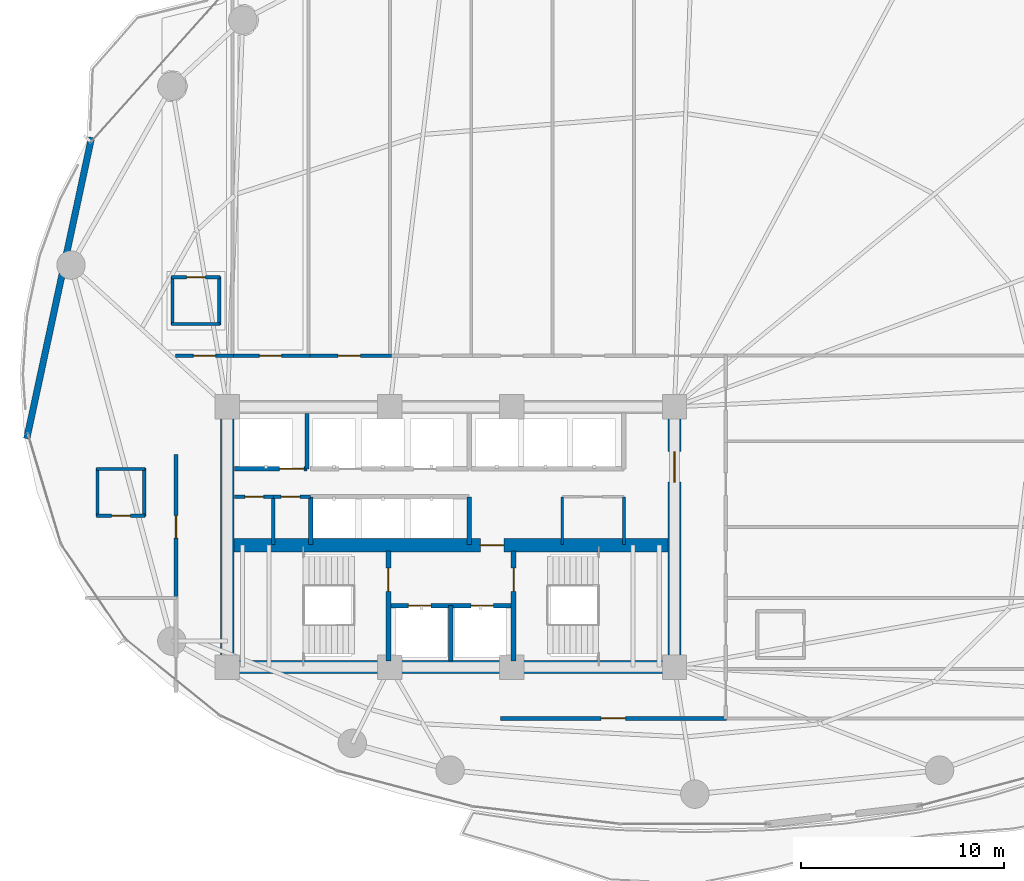
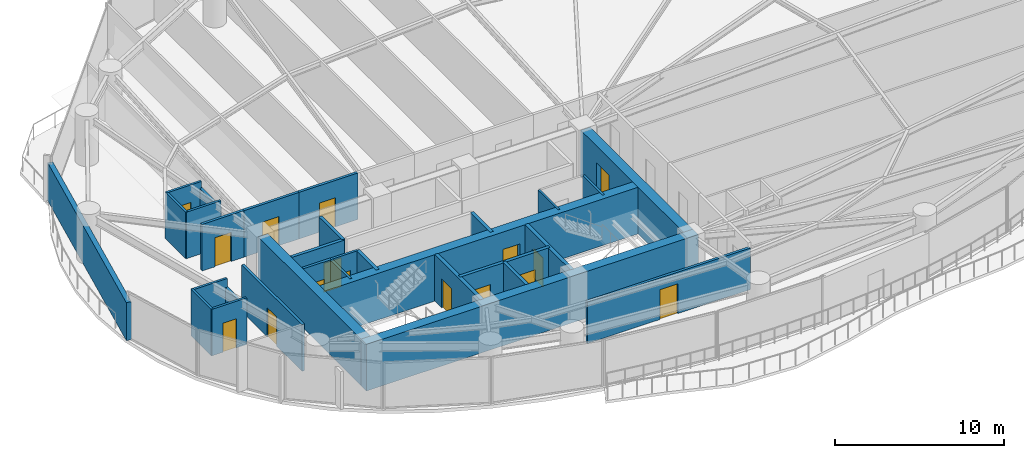
# One storey, part 26 of 31: 31 walls, 16 doors, 16 openings.
"""IFC4 building model written with IfcOpenShell, lengths in metres."""

from ifc_helpers import new_model, si_unit, direction, frame, frame_2d, origin, place, context, subcontext, project, spatial, rectangle, extrude, material, layer, layer_set, type_object, element, fill, save


model = new_model("IFC4")

# Units and contexts
model_context = context("Model", 3, precision=1e-05, world=origin(), true_north=direction((0.0, 1.0)))
body_context = subcontext(model_context, "Body", "Model", "MODEL_VIEW")
ifc_project = project(units=[si_unit("LENGTHUNIT", "METRE"), si_unit("AREAUNIT", "SQUARE_METRE"), si_unit("VOLUMEUNIT", "CUBIC_METRE"), si_unit("PLANEANGLEUNIT", "RADIAN"), si_unit("MASSUNIT", "GRAM", prefix="KILO")], contexts=[model_context])

# Site, building, storey
site_placement = place(None, origin())
site = spatial("IfcSite", under=ifc_project, at=site_placement, CompositionType="ELEMENT")
building_placement = place(site_placement, origin())
building = spatial("IfcBuilding", under=site, at=building_placement, Name="Kazevale Care Tower and Concert Hall", CompositionType="ELEMENT")
storey_placement = place(building_placement, frame((0.0, 0.0, 81.60009765625)))
storey = spatial("IfcBuildingStorey", under=building, at=storey_placement, Name="L21", CompositionType="ELEMENT", Elevation=81.60009765625)

# Walls
ifc_material_1 = material(Name="Acoustic Gypsum on Steel Stud", Category="steel")
ifc_layer_1 = layer(ifc_material_1, 0.139892578125)
ifc_layer_set_1 = layer_set([ifc_layer_1], Name="Acoustic Gypsum on Steel Stud")
wall_type_1 = type_object("IfcWallType", Name="Acoustic Care & Suite Partition 140", PredefinedType="PARTITIONING", material=ifc_layer_set_1)
for number, where, z_axis, x_axis, name in (
    (1, (38.47998046875, 29.6201171875, 0.0), (0.0, 0.0, 1.0), (0.0, 1.0, 0.0), "wall:L21:kb_ew"),
    (2, (41.52001953125, 29.6201171875, 0.0), (0.0, 0.0, 1.0), (0.0, 1.0, 0.0), "wall:L21:kb_ee"),
):
    element("IfcWall", number, at=place(storey_placement, frame(where, z_axis=z_axis, x_axis=x_axis)), inside=storey, type_object=wall_type_1, Name=name, PredefinedType="PARTITIONING", context=body_context, shape_type="SweptSolid", body=[
        extrude(rectangle(XDim=2.35986328125, YDim=0.139892578125, at=frame_2d((1.179931640625, 0.0))), origin(), (0.0, 0.0, 1.0), 3.35986328125),
    ])
ifc_material_2 = material(Name="Concrete C70", Category="concrete")
ifc_layer_2 = layer(ifc_material_2, 0.64990234375)
ifc_layer_set_2 = layer_set([ifc_layer_2], Name="Concrete C70")
wall_type_2 = type_object("IfcWallType", Name="Core Shear Wall 650 C70", PredefinedType="SHEAR", material=ifc_layer_set_2)
wall_1_placement = place(storey_placement, frame((21.675048828125, 23.60009765625, 0.0), z_axis=(0.0, 0.0, 1.0), x_axis=(1.0, 0.0, 0.0)))
element("IfcWall", 3, at=wall_1_placement, inside=storey, type_object=wall_type_2, Name="wall:L21:core:S", PredefinedType="SHEAR", context=body_context, shape_type="SweptSolid", body=[
    extrude(rectangle(XDim=22.64990234375, YDim=0.64990234375, at=frame_2d((11.324951171875, 0.0))), origin(), (0.0, 0.0, 1.0), 3.35986328125),
])
wall_2_placement = place(storey_placement, frame((22.0, 23.925048828125, 0.0), z_axis=(0.0, 0.0, 1.0), x_axis=(0.0, 1.0, 0.0)))
element("IfcWall", 4, at=wall_2_placement, inside=storey, type_object=wall_type_2, Name="wall:L21:core:W", PredefinedType="SHEAR", context=body_context, shape_type="SweptSolid", body=[
    extrude(rectangle(XDim=12.14990234375, YDim=0.64990234375, at=frame_2d((6.074951171875, 0.0))), origin(), (0.0, 0.0, 1.0), 3.35986328125),
])

# Wall, opening, door
wall_3_placement = place(storey_placement, frame((44.0, 23.925048828125, 0.0), z_axis=(0.0, 0.0, 1.0), x_axis=(0.0, 1.0, 0.0)))
wall_3 = element("IfcWall", 5, at=wall_3_placement, inside=storey, type_object=wall_type_2, Name="wall:L21:core:E", PredefinedType="SHEAR", context=body_context, shape_type="SweptSolid", body=[
    extrude(rectangle(XDim=12.14990234375, YDim=0.64990234375, at=frame_2d((6.074951171875, 0.0))), origin(), (0.0, 0.0, 1.0), 3.35986328125),
])
opening_1_placement = place(wall_3_placement, frame((8.77490234375, 0.0, 0.0)))
opening_1 = element("IfcOpeningElement", 6, at=opening_1_placement, cuts=wall_3, Name="Opening FD-60D", PredefinedType="OPENING", context=body_context, shape_type="SweptSolid", body=[
    extrude(rectangle(XDim=1.5, YDim=2.14990234375, at=frame_2d((0.75, 1.074951171875))), frame((0.0, 0.3349609375, 0.0), z_axis=(0.0, -1.0, 0.0), x_axis=(1.0, 0.0, 0.0)), (0.0, 0.0, 1.0), 0.669921875),
])
ifc_material_3 = material(Name="Oak Timber Fire Leaf", Category="wood")
door_type_1 = type_object("IfcDoorType", Name="Double Lobby & Auditorium Fire Door 1500x2150", OperationType="NOTDEFINED", PredefinedType="DOOR", material=ifc_material_3)
door_1_placement = place(opening_1_placement, origin())
door_1 = element("IfcDoor", 7, at=door_1_placement, inside=storey, type_object=door_type_1, Name="door:L21:core_east_out", OperationType="DOUBLE_DOOR_SINGLE_SWING", OverallHeight=2.14990234375, OverallWidth=1.5, PredefinedType="DOOR", context=body_context, shape_type="SweptSolid", body=[
    extrude(rectangle(XDim=1.5, YDim=2.14990234375, at=frame_2d((0.75, 1.074951171875))), frame((0.0, 0.02490234375, 0.0), z_axis=(0.0, -1.0, 0.0), x_axis=(1.0, 0.0, 0.0)), (0.0, 0.0, 1.0), 0.050048828125),
])
fill(opening_1, door_1)

wall_4_placement = place(storey_placement, frame((22.324951171875, 29.60009765625, 0.0), z_axis=(0.0, 0.0, 1.0), x_axis=(1.0, 0.0, 0.0)))
wall_4 = element("IfcWall", 8, at=wall_4_placement, inside=storey, type_object=wall_type_2, Name="wall:L21:core:M", PredefinedType="SHEAR", context=body_context, shape_type="SweptSolid", body=[
    extrude(rectangle(XDim=21.35009765625, YDim=0.64990234375, at=frame_2d((10.675048828125, 0.0))), origin(), (0.0, 0.0, 1.0), 3.35986328125),
])
opening_2_placement = place(wall_4_placement, frame((12.125, 0.0, 0.0)))
opening_2 = element("IfcOpeningElement", 9, at=opening_2_placement, cuts=wall_4, Name="Opening FD-90", PredefinedType="OPENING", context=body_context, shape_type="SweptSolid", body=[
    extrude(rectangle(XDim=1.14990234375, YDim=2.10009765625, at=frame_2d((0.574951171875, 1.050048828125))), frame((0.0, 0.3349609375, 0.0), z_axis=(0.0, -1.0, 0.0), x_axis=(1.0, 0.0, 0.0)), (0.0, 0.0, 1.0), 0.669921875),
])
ifc_material_4 = material(Name="Steel ASTM A572 Gr 50", Category="steel")
door_type_2 = type_object("IfcDoorType", Name="Pressurized Stair & Lobby Fire Door 1150x2100", OperationType="NOTDEFINED", PredefinedType="DOOR", material=ifc_material_4)
door_2_placement = place(opening_2_placement, origin())
door_2 = element("IfcDoor", 10, at=door_2_placement, inside=storey, type_object=door_type_2, Name="door:L21:ff_to_pax", OperationType="SINGLE_SWING_LEFT", OverallHeight=2.10009765625, OverallWidth=1.14990234375, PredefinedType="DOOR", context=body_context, shape_type="SweptSolid", body=[
    extrude(rectangle(XDim=1.14990234375, YDim=2.10009765625, at=frame_2d((0.574951171875, 1.050048828125))), frame((0.0, 0.02490234375, 0.0), z_axis=(0.0, -1.0, 0.0), x_axis=(1.0, 0.0, 0.0)), (0.0, 0.0, 1.0), 0.050048828125),
])
fill(opening_2, door_2)

# Wall, openings, doors
ifc_material_5 = material(Name="Concrete C40", Category="concrete")
ifc_layer_3 = layer(ifc_material_5, 0.219970703125)
ifc_layer_set_3 = layer_set([ifc_layer_3], Name="Concrete C40")
wall_type_3 = type_object("IfcWallType", Name="Elevator Hoistway Shaft Wall 220", PredefinedType="SOLIDWALL", material=ifc_layer_set_3)
wall_5_placement = place(storey_placement, frame((29.919921875, 26.6201171875, 0.0), z_axis=(0.0, 0.0, 1.0), x_axis=(1.0, 0.0, 0.0)))
wall_5 = element("IfcWall", 11, at=wall_5_placement, inside=storey, type_object=wall_type_3, Name="wall:L21:c_ffl_n", PredefinedType="SOLIDWALL", context=body_context, shape_type="SweptSolid", body=[
    extrude(rectangle(XDim=6.16015625, YDim=0.219970703125, at=frame_2d((3.080078125, 0.0))), origin(), (0.0, 0.0, 1.0), 3.35986328125),
])
opening_3_placement = place(wall_5_placement, frame((0.989990234375, 0.0, 0.0)))
opening_3 = element("IfcOpeningElement", 12, at=opening_3_placement, cuts=wall_5, Name="Opening LD-FF", PredefinedType="OPENING", context=body_context, shape_type="SweptSolid", body=[
    extrude(rectangle(XDim=1.10009765625, YDim=2.10009765625, at=frame_2d((0.550048828125, 1.050048828125))), frame((0.0, 0.119873046875, 0.0), z_axis=(0.0, -1.0, 0.0), x_axis=(1.0, 0.0, 0.0)), (0.0, 0.0, 1.0), 0.239990234375),
])
opening_4_placement = place(wall_5_placement, frame((4.070068359375, 0.0, 0.0)))
opening_4 = element("IfcOpeningElement", 13, at=opening_4_placement, cuts=wall_5, Name="Opening LD-FF", PredefinedType="OPENING", context=body_context, shape_type="SweptSolid", body=[
    extrude(rectangle(XDim=1.10009765625, YDim=2.10009765625, at=frame_2d((0.550048828125, 1.050048828125))), frame((0.0, 0.119873046875, 0.0), z_axis=(0.0, -1.0, 0.0), x_axis=(1.0, 0.0, 0.0)), (0.0, 0.0, 1.0), 0.239990234375),
])
ifc_material_6 = material(Name="Stainless Steel 316", Category="steel")
door_type_3 = type_object("IfcDoorType", Name="Emergency Lift Sliding Landing Door 1100x2100", OperationType="NOTDEFINED", PredefinedType="DOOR", material=ifc_material_6)
door_3_placement = place(opening_3_placement, origin())
door_3 = element("IfcDoor", 14, at=door_3_placement, inside=storey, type_object=door_type_3, Name="door:L21:ld_ffl1", OperationType="SLIDING_TO_LEFT", OverallHeight=2.10009765625, OverallWidth=1.10009765625, PredefinedType="DOOR", context=body_context, shape_type="SweptSolid", body=[
    extrude(rectangle(XDim=1.10009765625, YDim=2.10009765625, at=frame_2d((0.550048828125, 1.050048828125))), frame((0.0, 0.02490234375, 0.0), z_axis=(0.0, -1.0, 0.0), x_axis=(1.0, 0.0, 0.0)), (0.0, 0.0, 1.0), 0.050048828125),
])
fill(opening_3, door_3)
door_4_placement = place(opening_4_placement, origin())
door_4 = element("IfcDoor", 15, at=door_4_placement, inside=storey, type_object=door_type_3, Name="door:L21:ld_ffl2", OperationType="SLIDING_TO_RIGHT", OverallHeight=2.10009765625, OverallWidth=1.10009765625, PredefinedType="DOOR", context=body_context, shape_type="SweptSolid", body=[
    extrude(rectangle(XDim=1.10009765625, YDim=2.10009765625, at=frame_2d((0.550048828125, 1.050048828125))), frame((0.0, 0.02490234375, 0.0), z_axis=(0.0, -1.0, 0.0), x_axis=(1.0, 0.0, 0.0)), (0.0, 0.0, 1.0), 0.050048828125),
])
fill(opening_4, door_4)

# Walls
wall_6_placement = place(storey_placement, frame((33.0, 23.89990234375, 0.0), z_axis=(0.0, 0.0, 1.0), x_axis=(0.0, 1.0, 0.0)))
element("IfcWall", 16, at=wall_6_placement, inside=storey, type_object=wall_type_3, Name="wall:L21:c_ffl_m", PredefinedType="SOLIDWALL", context=body_context, shape_type="SweptSolid", body=[
    extrude(rectangle(XDim=2.72021484375, YDim=0.219970703125, at=frame_2d((1.360107421875, 0.0))), origin(), (0.0, 0.0, 1.0), 3.35986328125),
])
wall_7_placement = place(storey_placement, frame((25.919921875, 33.35009765625, 0.0), z_axis=(0.0, 0.0, 1.0), x_axis=(0.0, 1.0, 0.0)))
element("IfcWall", 17, at=wall_7_placement, inside=storey, type_object=wall_type_3, Name="wall:L21:c_svl_e", PredefinedType="SOLIDWALL", context=body_context, shape_type="SweptSolid", body=[
    extrude(rectangle(XDim=2.72998046875, YDim=0.219970703125, at=frame_2d((1.364990234375, 0.0))), origin(), (0.0, 0.0, 1.0), 3.35986328125),
])

# Wall, opening, door
wall_8_placement = place(storey_placement, frame((22.35009765625, 33.35009765625, 0.0), z_axis=(0.0, 0.0, 1.0), x_axis=(1.0, 0.0, 0.0)))
wall_8 = element("IfcWall", 18, at=wall_8_placement, inside=storey, type_object=wall_type_3, Name="wall:L21:c_svl_s", PredefinedType="SOLIDWALL", context=body_context, shape_type="SweptSolid", body=[
    extrude(rectangle(XDim=3.56982421875, YDim=0.219970703125, at=frame_2d((1.784912109375, 0.0))), origin(), (0.0, 0.0, 1.0), 3.35986328125),
])
opening_5_placement = place(wall_8_placement, frame((2.212890625, 0.0, 0.0)))
opening_5 = element("IfcOpeningElement", 19, at=opening_5_placement, cuts=wall_8, Name="Opening LD-SV", PredefinedType="OPENING", context=body_context, shape_type="SweptSolid", body=[
    extrude(rectangle(XDim=1.199951171875, YDim=2.10009765625, at=frame_2d((0.60009765625, 1.050048828125))), frame((0.0, 0.119873046875, 0.0), z_axis=(0.0, -1.0, 0.0), x_axis=(1.0, 0.0, 0.0)), (0.0, 0.0, 1.0), 0.239990234375),
])
door_type_4 = type_object("IfcDoorType", Name="Service Lift Sliding Landing Door 1200x2100", OperationType="NOTDEFINED", PredefinedType="DOOR", material=ifc_material_6)
door_5_placement = place(opening_5_placement, origin())
door_5 = element("IfcDoor", 20, at=door_5_placement, inside=storey, type_object=door_type_4, Name="door:L21:ld_svl1", OperationType="SLIDING_TO_LEFT", OverallHeight=2.10009765625, OverallWidth=1.199951171875, PredefinedType="DOOR", context=body_context, shape_type="SweptSolid", body=[
    extrude(rectangle(XDim=1.199951171875, YDim=2.10009765625, at=frame_2d((0.60009765625, 1.050048828125))), frame((0.0, 0.02490234375, 0.0), z_axis=(0.0, -1.0, 0.0), x_axis=(1.0, 0.0, 0.0)), (0.0, 0.0, 1.0), 0.050048828125),
])
fill(opening_5, door_5)

# Walls
for number, where, z_axis, x_axis, name in (
    (21, (26.10009765625, 29.6201171875, 0.0), (0.0, 0.0, 1.0), (0.0, 1.0, 0.0), "wall:L21:c_ph_w"),
    (22, (33.89990234375, 29.6201171875, 0.0), (0.0, 0.0, 1.0), (0.0, 1.0, 0.0), "wall:L21:c_ph_e"),
):
    element("IfcWall", number, at=place(storey_placement, frame(where, z_axis=z_axis, x_axis=x_axis)), inside=storey, type_object=wall_type_3, Name=name, PredefinedType="SOLIDWALL", context=body_context, shape_type="SweptSolid", body=[
        extrude(rectangle(XDim=2.35986328125, YDim=0.219970703125, at=frame_2d((1.179931640625, 0.0))), origin(), (0.0, 0.0, 1.0), 3.35986328125),
    ])

# Wall, opening, door
ifc_material_7 = material(Name="Concrete C40 and Acoustic Gypsum", Category="concrete")
ifc_layer_4 = layer(ifc_material_7, 0.179931640625)
ifc_layer_set_4 = layer_set([ifc_layer_4], Name="Concrete C40 and Acoustic Gypsum")
wall_type_4 = type_object("IfcWallType", Name="Fire-Rated Corridor & Party Wall 180", PredefinedType="PARTITIONING", material=ifc_layer_set_4)
wall_9_placement = place(storey_placement, frame((22.35009765625, 31.97998046875, 0.0), z_axis=(0.0, 0.0, 1.0), x_axis=(1.0, 0.0, 0.0)))
wall_9 = element("IfcWall", 23, at=wall_9_placement, inside=storey, type_object=wall_type_4, Name="wall:L21:kb_wn0", PredefinedType="PARTITIONING", context=body_context, shape_type="SweptSolid", body=[
    extrude(rectangle(XDim=1.909912109375, YDim=0.179931640625, at=frame_2d((0.955078125, 0.0))), origin(), (0.0, 0.0, 1.0), 3.35986328125),
])
opening_6_placement = place(wall_9_placement, frame((0.514892578125, 0.0, 0.0)))
opening_6 = element("IfcOpeningElement", 24, at=opening_6_placement, cuts=wall_9, Name="Opening ID-900", PredefinedType="OPENING", context=body_context, shape_type="SweptSolid", body=[
    extrude(rectangle(XDim=0.919921875, YDim=2.10009765625, at=frame_2d((0.4599609375, 1.050048828125))), frame((0.0, 0.099853515625, 0.0), z_axis=(0.0, -1.0, 0.0), x_axis=(1.0, 0.0, 0.0)), (0.0, 0.0, 1.0), 0.199951171875),
])
door_type_5 = type_object("IfcDoorType", Name="Bathroom & Service Door 920x2100", OperationType="NOTDEFINED", PredefinedType="DOOR", material=ifc_material_3)
door_6_placement = place(opening_6_placement, origin())
door_6 = element("IfcDoor", 25, at=door_6_placement, inside=storey, type_object=door_type_5, Name="door:L21:d_kbw1", OperationType="SINGLE_SWING_LEFT", OverallHeight=2.10009765625, OverallWidth=0.919921875, PredefinedType="DOOR", context=body_context, shape_type="SweptSolid", body=[
    extrude(rectangle(XDim=0.919921875, YDim=2.10009765625, at=frame_2d((0.4599609375, 1.050048828125))), frame((0.0, 0.02490234375, 0.0), z_axis=(0.0, -1.0, 0.0), x_axis=(1.0, 0.0, 0.0)), (0.0, 0.0, 1.0), 0.050048828125),
])
fill(opening_6, door_6)

wall_10_placement = place(storey_placement, frame((19.445068359375, 38.925048828125, 0.0), z_axis=(0.0, 0.0, 1.0), x_axis=(1.0, 0.0, 0.0)))
wall_10 = element("IfcWall", 26, at=wall_10_placement, inside=storey, type_object=wall_type_4, Name="wall:L21:auto_001", PredefinedType="PARTITIONING", context=body_context, shape_type="SweptSolid", body=[
    extrude(rectangle(XDim=2.869873046875, YDim=0.179931640625, at=frame_2d((1.43505859375, 0.0))), origin(), (0.0, 0.0, 1.0), 3.35986328125),
])
opening_7_placement = place(wall_10_placement, frame((0.885009765625, 0.0, 0.0)))
opening_7 = element("IfcOpeningElement", 27, at=opening_7_placement, cuts=wall_10, Name="Opening ID-1100", PredefinedType="OPENING", context=body_context, shape_type="SweptSolid", body=[
    extrude(rectangle(XDim=1.10009765625, YDim=2.10009765625, at=frame_2d((0.550048828125, 1.050048828125))), frame((0.0, 0.099853515625, 0.0), z_axis=(0.0, -1.0, 0.0), x_axis=(1.0, 0.0, 0.0)), (0.0, 0.0, 1.0), 0.199951171875),
])
door_type_6 = type_object("IfcDoorType", Name="Care Bedroom Accessible Door 1100x2100", OperationType="NOTDEFINED", PredefinedType="DOOR", material=ifc_material_3)
door_7_placement = place(opening_7_placement, origin())
door_7 = element("IfcDoor", 28, at=door_7_placement, inside=storey, type_object=door_type_6, Name="door:L21:ad_001", OperationType="SINGLE_SWING_LEFT", OverallHeight=2.10009765625, OverallWidth=1.10009765625, PredefinedType="DOOR", context=body_context, shape_type="SweptSolid", body=[
    extrude(rectangle(XDim=1.10009765625, YDim=2.10009765625, at=frame_2d((0.550048828125, 1.050048828125))), frame((0.0, 0.02490234375, 0.0), z_axis=(0.0, -1.0, 0.0), x_axis=(1.0, 0.0, 0.0)), (0.0, 0.0, 1.0), 0.050048828125),
])
fill(opening_7, door_7)

wall_11_placement = place(storey_placement, frame((22.18505859375, 38.925048828125, 0.0), z_axis=(0.0, 0.0, 1.0), x_axis=(1.0, 0.0, 0.0)))
wall_11 = element("IfcWall", 29, at=wall_11_placement, inside=storey, type_object=wall_type_4, Name="wall:L21:auto_002", PredefinedType="PARTITIONING", context=body_context, shape_type="SweptSolid", body=[
    extrude(rectangle(XDim=3.8798828125, YDim=0.179931640625, at=frame_2d((1.93994140625, 0.0))), origin(), (0.0, 0.0, 1.0), 3.35986328125),
])
opening_8_placement = place(wall_11_placement, frame((1.389892578125, 0.0, 0.0)))
opening_8 = element("IfcOpeningElement", 30, at=opening_8_placement, cuts=wall_11, Name="Opening ID-1100", PredefinedType="OPENING", context=body_context, shape_type="SweptSolid", body=[
    extrude(rectangle(XDim=1.10009765625, YDim=2.10009765625, at=frame_2d((0.550048828125, 1.050048828125))), frame((0.0, 0.099853515625, 0.0), z_axis=(0.0, -1.0, 0.0), x_axis=(1.0, 0.0, 0.0)), (0.0, 0.0, 1.0), 0.199951171875),
])
door_8_placement = place(opening_8_placement, origin())
door_8 = element("IfcDoor", 31, at=door_8_placement, inside=storey, type_object=door_type_6, Name="door:L21:ad_002", OperationType="SINGLE_SWING_LEFT", OverallHeight=2.10009765625, OverallWidth=1.10009765625, PredefinedType="DOOR", context=body_context, shape_type="SweptSolid", body=[
    extrude(rectangle(XDim=1.10009765625, YDim=2.10009765625, at=frame_2d((0.550048828125, 1.050048828125))), frame((0.0, 0.02490234375, 0.0), z_axis=(0.0, -1.0, 0.0), x_axis=(1.0, 0.0, 0.0)), (0.0, 0.0, 1.0), 0.050048828125),
])
fill(opening_8, door_8)

wall_12_placement = place(storey_placement, frame((25.93505859375, 38.925048828125, 0.0), z_axis=(0.0, 0.0, 1.0), x_axis=(1.0, 0.0, 0.0)))
wall_12 = element("IfcWall", 32, at=wall_12_placement, inside=storey, type_object=wall_type_4, Name="wall:L21:auto_003", PredefinedType="PARTITIONING", context=body_context, shape_type="SweptSolid", body=[
    extrude(rectangle(XDim=4.1298828125, YDim=0.179931640625, at=frame_2d((2.06494140625, 0.0))), origin(), (0.0, 0.0, 1.0), 3.35986328125),
])
opening_9_placement = place(wall_12_placement, frame((1.514892578125, 0.0, 0.0)))
opening_9 = element("IfcOpeningElement", 33, at=opening_9_placement, cuts=wall_12, Name="Opening ID-1100", PredefinedType="OPENING", context=body_context, shape_type="SweptSolid", body=[
    extrude(rectangle(XDim=1.10009765625, YDim=2.10009765625, at=frame_2d((0.550048828125, 1.050048828125))), frame((0.0, 0.099853515625, 0.0), z_axis=(0.0, -1.0, 0.0), x_axis=(1.0, 0.0, 0.0)), (0.0, 0.0, 1.0), 0.199951171875),
])
door_9_placement = place(opening_9_placement, origin())
door_9 = element("IfcDoor", 34, at=door_9_placement, inside=storey, type_object=door_type_6, Name="door:L21:ad_003", OperationType="SINGLE_SWING_LEFT", OverallHeight=2.10009765625, OverallWidth=1.10009765625, PredefinedType="DOOR", context=body_context, shape_type="SweptSolid", body=[
    extrude(rectangle(XDim=1.10009765625, YDim=2.10009765625, at=frame_2d((0.550048828125, 1.050048828125))), frame((0.0, 0.02490234375, 0.0), z_axis=(0.0, -1.0, 0.0), x_axis=(1.0, 0.0, 0.0)), (0.0, 0.0, 1.0), 0.050048828125),
])
fill(opening_9, door_9)

wall_13_placement = place(storey_placement, frame((46.554931640625, 21.074951171875, 0.0), z_axis=(0.0, 0.0, 1.0), x_axis=(-1.0, 0.0, 0.0)))
wall_13 = element("IfcWall", 35, at=wall_13_placement, inside=storey, type_object=wall_type_4, Name="wall:L21:auto_013", PredefinedType="PARTITIONING", context=body_context, shape_type="SweptSolid", body=[
    extrude(rectangle(XDim=11.119873046875, YDim=0.179931640625, at=frame_2d((5.56005859375, 0.0))), origin(), (0.0, 0.0, 1.0), 2.995849609375),
])
opening_10_placement = place(wall_13_placement, frame((4.9599609375, 0.0, 0.0)))
opening_10 = element("IfcOpeningElement", 36, at=opening_10_placement, cuts=wall_13, Name="Opening ID-1200", PredefinedType="OPENING", context=body_context, shape_type="SweptSolid", body=[
    extrude(rectangle(XDim=1.199951171875, YDim=2.14990234375, at=frame_2d((0.60009765625, 1.074951171875))), frame((0.0, 0.099853515625, 0.0), z_axis=(0.0, -1.0, 0.0), x_axis=(1.0, 0.0, 0.0)), (0.0, 0.0, 1.0), 0.199951171875),
])
door_type_7 = type_object("IfcDoorType", Name="Clinical & Therapy Door 1200x2150", OperationType="NOTDEFINED", PredefinedType="DOOR", material=ifc_material_3)
door_10_placement = place(opening_10_placement, origin())
door_10 = element("IfcDoor", 37, at=door_10_placement, inside=storey, type_object=door_type_7, Name="door:L21:ad_013", OperationType="SINGLE_SWING_LEFT", OverallHeight=2.14990234375, OverallWidth=1.199951171875, PredefinedType="DOOR", context=body_context, shape_type="SweptSolid", body=[
    extrude(rectangle(XDim=1.199951171875, YDim=2.14990234375, at=frame_2d((0.60009765625, 1.074951171875))), frame((0.0, 0.02490234375, 0.0), z_axis=(0.0, -1.0, 0.0), x_axis=(1.0, 0.0, 0.0)), (0.0, 0.0, 1.0), 0.050048828125),
])
fill(opening_10, door_10)

wall_14_placement = place(storey_placement, frame((19.47509765625, 26.93505859375, 0.0), z_axis=(0.0, 0.0, 1.0), x_axis=(0.0, 1.0, 0.0)))
wall_14 = element("IfcWall", 38, at=wall_14_placement, inside=storey, type_object=wall_type_4, Name="wall:L21:auto_015", PredefinedType="PARTITIONING", context=body_context, shape_type="SweptSolid", body=[
    extrude(rectangle(XDim=7.1298828125, YDim=0.179931640625, at=frame_2d((3.56494140625, 0.0))), origin(), (0.0, 0.0, 1.0), 3.35986328125),
])
opening_11_placement = place(wall_14_placement, frame((3.014892578125, 0.0, 0.0)))
opening_11 = element("IfcOpeningElement", 39, at=opening_11_placement, cuts=wall_14, Name="Opening ID-1100", PredefinedType="OPENING", context=body_context, shape_type="SweptSolid", body=[
    extrude(rectangle(XDim=1.10009765625, YDim=2.10009765625, at=frame_2d((0.550048828125, 1.050048828125))), frame((0.0, 0.099853515625, 0.0), z_axis=(0.0, -1.0, 0.0), x_axis=(1.0, 0.0, 0.0)), (0.0, 0.0, 1.0), 0.199951171875),
])
door_11_placement = place(opening_11_placement, origin())
door_11 = element("IfcDoor", 40, at=door_11_placement, inside=storey, type_object=door_type_6, Name="door:L21:ad_015", OperationType="SINGLE_SWING_LEFT", OverallHeight=2.10009765625, OverallWidth=1.10009765625, PredefinedType="DOOR", context=body_context, shape_type="SweptSolid", body=[
    extrude(rectangle(XDim=1.10009765625, YDim=2.10009765625, at=frame_2d((0.550048828125, 1.050048828125))), frame((0.0, 0.02490234375, 0.0), z_axis=(0.0, -1.0, 0.0), x_axis=(1.0, 0.0, 0.0)), (0.0, 0.0, 1.0), 0.050048828125),
])
fill(opening_11, door_11)

# Wall
ifc_layer_5 = layer(ifc_material_1, 0.159912109375)
ifc_layer_set_5 = layer_set([ifc_layer_5], Name="Acoustic Gypsum on Steel Stud")
wall_type_5 = type_object("IfcWallType", Name="Moisture-Resistant Bathroom Plumbing Wall 160", PredefinedType="PLUMBINGWALL", material=ifc_layer_set_5)
wall_15_placement = place(storey_placement, frame((24.260009765625, 29.6201171875, 0.0), z_axis=(0.0, 0.0, 1.0), x_axis=(0.0, 1.0, 0.0)))
element("IfcWall", 41, at=wall_15_placement, inside=storey, type_object=wall_type_5, Name="wall:L21:kb_we1", PredefinedType="PLUMBINGWALL", context=body_context, shape_type="SweptSolid", body=[
    extrude(rectangle(XDim=2.35986328125, YDim=0.159912109375, at=frame_2d((1.179931640625, 0.0))), origin(), (0.0, 0.0, 1.0), 3.35986328125),
])

# Wall, opening, door
wall_16_placement = place(storey_placement, frame((24.260009765625, 31.97998046875, 0.0), z_axis=(0.0, 0.0, 1.0), x_axis=(1.0, 0.0, 0.0)))
wall_16 = element("IfcWall", 42, at=wall_16_placement, inside=storey, type_object=wall_type_5, Name="wall:L21:kb_wn1", PredefinedType="PLUMBINGWALL", context=body_context, shape_type="SweptSolid", body=[
    extrude(rectangle(XDim=1.840087890625, YDim=0.159912109375, at=frame_2d((0.919921875, 0.0))), origin(), (0.0, 0.0, 1.0), 3.35986328125),
])
opening_12_placement = place(wall_16_placement, frame((0.387939453125, 0.0, 0.0)))
opening_12 = element("IfcOpeningElement", 43, at=opening_12_placement, cuts=wall_16, Name="Opening ID-900", PredefinedType="OPENING", context=body_context, shape_type="SweptSolid", body=[
    extrude(rectangle(XDim=0.919921875, YDim=2.10009765625, at=frame_2d((0.4599609375, 1.050048828125))), frame((0.0, 0.08984375, 0.0), z_axis=(0.0, -1.0, 0.0), x_axis=(1.0, 0.0, 0.0)), (0.0, 0.0, 1.0), 0.179931640625),
])
door_12_placement = place(opening_12_placement, origin())
door_12 = element("IfcDoor", 44, at=door_12_placement, inside=storey, type_object=door_type_5, Name="door:L21:d_kbw2", OperationType="SINGLE_SWING_RIGHT", OverallHeight=2.10009765625, OverallWidth=0.919921875, PredefinedType="DOOR", context=body_context, shape_type="SweptSolid", body=[
    extrude(rectangle(XDim=0.919921875, YDim=2.10009765625, at=frame_2d((0.4599609375, 1.050048828125))), frame((0.0, 0.02490234375, 0.0), z_axis=(0.0, -1.0, 0.0), x_axis=(1.0, 0.0, 0.0)), (0.0, 0.0, 1.0), 0.050048828125),
])
fill(opening_12, door_12)

# Wall
wall_17_placement = place(storey_placement, frame((19.260009765625, 40.47509765625, 0.0), z_axis=(0.0, 0.0, 1.0), x_axis=(1.0, 0.0, 0.0)))
element("IfcWall", 45, at=wall_17_placement, inside=storey, type_object=wall_type_5, Name="wall:L21:nb2a_ens_ws", PredefinedType="PLUMBINGWALL", context=body_context, shape_type="SweptSolid", body=[
    extrude(rectangle(XDim=2.3798828125, YDim=0.159912109375, at=frame_2d((1.18994140625, 0.0))), origin(), (0.0, 0.0, 1.0), 3.35986328125),
])

# Wall, opening, door
wall_18_placement = place(storey_placement, frame((19.260009765625, 42.77490234375, 0.0), z_axis=(0.0, 0.0, 1.0), x_axis=(1.0, 0.0, 0.0)))
wall_18 = element("IfcWall", 46, at=wall_18_placement, inside=storey, type_object=wall_type_5, Name="wall:L21:nb2a_ens_wn", PredefinedType="PLUMBINGWALL", context=body_context, shape_type="SweptSolid", body=[
    extrude(rectangle(XDim=2.3798828125, YDim=0.159912109375, at=frame_2d((1.18994140625, 0.0))), origin(), (0.0, 0.0, 1.0), 3.35986328125),
])
opening_13_placement = place(wall_18_placement, frame((0.739990234375, 0.0, 0.0)))
opening_13 = element("IfcOpeningElement", 47, at=opening_13_placement, cuts=wall_18, Name="Opening ID-900", PredefinedType="OPENING", context=body_context, shape_type="SweptSolid", body=[
    extrude(rectangle(XDim=0.919921875, YDim=2.10009765625, at=frame_2d((0.4599609375, 1.050048828125))), frame((0.0, 0.08984375, 0.0), z_axis=(0.0, -1.0, 0.0), x_axis=(1.0, 0.0, 0.0)), (0.0, 0.0, 1.0), 0.179931640625),
])
door_13_placement = place(opening_13_placement, origin())
door_13 = element("IfcDoor", 48, at=door_13_placement, inside=storey, type_object=door_type_5, Name="door:L21:nb2a_ens_d", OperationType="SINGLE_SWING_RIGHT", OverallHeight=2.10009765625, OverallWidth=0.919921875, PredefinedType="DOOR", context=body_context, shape_type="SweptSolid", body=[
    extrude(rectangle(XDim=0.919921875, YDim=2.10009765625, at=frame_2d((0.4599609375, 1.050048828125))), frame((0.0, 0.02490234375, 0.0), z_axis=(0.0, -1.0, 0.0), x_axis=(1.0, 0.0, 0.0)), (0.0, 0.0, 1.0), 0.050048828125),
])
fill(opening_13, door_13)

# Walls
wall_19_placement = place(storey_placement, frame((19.300048828125, 40.43505859375, 0.0), z_axis=(0.0, 0.0, 1.0), x_axis=(0.0, 1.0, 0.0)))
element("IfcWall", 49, at=wall_19_placement, inside=storey, type_object=wall_type_5, Name="wall:L21:nb2a_ens_ww", PredefinedType="PLUMBINGWALL", context=body_context, shape_type="SweptSolid", body=[
    extrude(rectangle(XDim=2.3798828125, YDim=0.159912109375, at=frame_2d((1.18994140625, 0.0))), origin(), (0.0, 0.0, 1.0), 3.35986328125),
])
wall_20_placement = place(storey_placement, frame((21.60009765625, 40.43505859375, 0.0), z_axis=(0.0, 0.0, 1.0), x_axis=(0.0, 1.0, 0.0)))
element("IfcWall", 50, at=wall_20_placement, inside=storey, type_object=wall_type_5, Name="wall:L21:nb2a_ens_we", PredefinedType="PLUMBINGWALL", context=body_context, shape_type="SweptSolid", body=[
    extrude(rectangle(XDim=2.3798828125, YDim=0.159912109375, at=frame_2d((1.18994140625, 0.0))), origin(), (0.0, 0.0, 1.0), 2.889892578125),
])

# Wall, opening, door
wall_21_placement = place(storey_placement, frame((15.572021484375, 31.050048828125, 0.0), z_axis=(0.0, 0.0, 1.0), x_axis=(1.0, 0.0, 0.0)))
wall_21 = element("IfcWall", 51, at=wall_21_placement, inside=storey, type_object=wall_type_5, Name="wall:L21:wb2_ens_ws", PredefinedType="PLUMBINGWALL", context=body_context, shape_type="SweptSolid", body=[
    extrude(rectangle(XDim=2.3798828125, YDim=0.159912109375, at=frame_2d((1.18994140625, 0.0))), origin(), (0.0, 0.0, 1.0), 3.35986328125),
])
opening_14_placement = place(wall_21_placement, frame((0.739990234375, 0.0, 0.0)))
opening_14 = element("IfcOpeningElement", 52, at=opening_14_placement, cuts=wall_21, Name="Opening ID-900", PredefinedType="OPENING", context=body_context, shape_type="SweptSolid", body=[
    extrude(rectangle(XDim=0.919921875, YDim=2.10009765625, at=frame_2d((0.4599609375, 1.050048828125))), frame((0.0, 0.08984375, 0.0), z_axis=(0.0, -1.0, 0.0), x_axis=(1.0, 0.0, 0.0)), (0.0, 0.0, 1.0), 0.179931640625),
])
door_14_placement = place(opening_14_placement, origin())
door_14 = element("IfcDoor", 53, at=door_14_placement, inside=storey, type_object=door_type_5, Name="door:L21:wb2_ens_d", OperationType="SINGLE_SWING_RIGHT", OverallHeight=2.10009765625, OverallWidth=0.919921875, PredefinedType="DOOR", context=body_context, shape_type="SweptSolid", body=[
    extrude(rectangle(XDim=0.919921875, YDim=2.10009765625, at=frame_2d((0.4599609375, 1.050048828125))), frame((0.0, 0.02490234375, 0.0), z_axis=(0.0, -1.0, 0.0), x_axis=(1.0, 0.0, 0.0)), (0.0, 0.0, 1.0), 0.050048828125),
])
fill(opening_14, door_14)

# Walls
for number, where, z_axis, x_axis, name in (
    (54, (15.572021484375, 33.35009765625, 0.0), (0.0, 0.0, 1.0), (1.0, 0.0, 0.0), "wall:L21:wb2_ens_wn"),
    (55, (15.612060546875, 31.010009765625, 0.0), (0.0, 0.0, 1.0), (0.0, 1.0, 0.0), "wall:L21:wb2_ens_ww"),
):
    element("IfcWall", number, at=place(storey_placement, frame(where, z_axis=z_axis, x_axis=x_axis)), inside=storey, type_object=wall_type_5, Name=name, PredefinedType="PLUMBINGWALL", context=body_context, shape_type="SweptSolid", body=[
        extrude(rectangle(XDim=2.3798828125, YDim=0.159912109375, at=frame_2d((1.18994140625, 0.0))), origin(), (0.0, 0.0, 1.0), 3.35986328125),
    ])
wall_22_placement = place(storey_placement, frame((17.912109375, 31.010009765625, 0.0), z_axis=(0.0, 0.0, 1.0), x_axis=(0.0, 1.0, 0.0)))
element("IfcWall", 56, at=wall_22_placement, inside=storey, type_object=wall_type_5, Name="wall:L21:wb2_ens_we", PredefinedType="PLUMBINGWALL", context=body_context, shape_type="SweptSolid", body=[
    extrude(rectangle(XDim=2.3798828125, YDim=0.159912109375, at=frame_2d((1.18994140625, 0.0))), origin(), (0.0, 0.0, 1.0), 2.73779296875),
])

# Wall, opening, door
ifc_layer_6 = layer(ifc_material_5, 0.25)
ifc_layer_set_6 = layer_set([ifc_layer_6], Name="Concrete C40")
wall_type_6 = type_object("IfcWallType", Name="Pressurized Stair Shaft Wall 250", PredefinedType="SOLIDWALL", material=ifc_layer_set_6)
wall_23_placement = place(storey_placement, frame((29.919921875, 23.89990234375, 0.0), z_axis=(0.0, 0.0, 1.0), x_axis=(0.0, 1.0, 0.0)))
wall_23 = element("IfcWall", 57, at=wall_23_placement, inside=storey, type_object=wall_type_6, Name="wall:L21:c_st1_e", PredefinedType="SOLIDWALL", context=body_context, shape_type="SweptSolid", body=[
    extrude(rectangle(XDim=5.400146484375, YDim=0.25, at=frame_2d((2.7001953125, 0.0))), origin(), (0.0, 0.0, 1.0), 3.35986328125),
])
opening_15_placement = place(wall_23_placement, frame((3.4208984375, 0.0, 0.0)))
opening_15 = element("IfcOpeningElement", 58, at=opening_15_placement, cuts=wall_23, Name="Opening FD-90", PredefinedType="OPENING", context=body_context, shape_type="SweptSolid", body=[
    extrude(rectangle(XDim=1.14990234375, YDim=2.10009765625, at=frame_2d((0.574951171875, 1.050048828125))), frame((0.0, 0.135009765625, 0.0), z_axis=(0.0, -1.0, 0.0), x_axis=(1.0, 0.0, 0.0)), (0.0, 0.0, 1.0), 0.27001953125),
])
door_15_placement = place(opening_15_placement, origin())
door_15 = element("IfcDoor", 59, at=door_15_placement, inside=storey, type_object=door_type_2, Name="door:L21:st1", OperationType="SINGLE_SWING_RIGHT", OverallHeight=2.10009765625, OverallWidth=1.14990234375, PredefinedType="DOOR", context=body_context, shape_type="SweptSolid", body=[
    extrude(rectangle(XDim=1.14990234375, YDim=2.10009765625, at=frame_2d((0.574951171875, 1.050048828125))), frame((0.0, 0.02490234375, 0.0), z_axis=(0.0, -1.0, 0.0), x_axis=(1.0, 0.0, 0.0)), (0.0, 0.0, 1.0), 0.050048828125),
])
fill(opening_15, door_15)

wall_24_placement = place(storey_placement, frame((36.080078125, 23.89990234375, 0.0), z_axis=(0.0, 0.0, 1.0), x_axis=(0.0, 1.0, 0.0)))
wall_24 = element("IfcWall", 60, at=wall_24_placement, inside=storey, type_object=wall_type_6, Name="wall:L21:c_st2_w", PredefinedType="SOLIDWALL", context=body_context, shape_type="SweptSolid", body=[
    extrude(rectangle(XDim=5.400146484375, YDim=0.25, at=frame_2d((2.7001953125, 0.0))), origin(), (0.0, 0.0, 1.0), 3.35986328125),
])
opening_16_placement = place(wall_24_placement, frame((3.4208984375, 0.0, 0.0)))
opening_16 = element("IfcOpeningElement", 61, at=opening_16_placement, cuts=wall_24, Name="Opening FD-90", PredefinedType="OPENING", context=body_context, shape_type="SweptSolid", body=[
    extrude(rectangle(XDim=1.14990234375, YDim=2.10009765625, at=frame_2d((0.574951171875, 1.050048828125))), frame((0.0, 0.135009765625, 0.0), z_axis=(0.0, -1.0, 0.0), x_axis=(1.0, 0.0, 0.0)), (0.0, 0.0, 1.0), 0.27001953125),
])
door_16_placement = place(opening_16_placement, origin())
door_16 = element("IfcDoor", 62, at=door_16_placement, inside=storey, type_object=door_type_2, Name="door:L21:st2", OperationType="SINGLE_SWING_LEFT", OverallHeight=2.10009765625, OverallWidth=1.14990234375, PredefinedType="DOOR", context=body_context, shape_type="SweptSolid", body=[
    extrude(rectangle(XDim=1.14990234375, YDim=2.10009765625, at=frame_2d((0.574951171875, 1.050048828125))), frame((0.0, 0.02490234375, 0.0), z_axis=(0.0, -1.0, 0.0), x_axis=(1.0, 0.0, 0.0)), (0.0, 0.0, 1.0), 0.050048828125),
])
fill(opening_16, door_16)

# Wall
ifc_material_8 = material(Name="Concrete C40 with Honed Limestone Cladding", Category="masonry")
ifc_layer_7 = layer(ifc_material_8, 0.320068359375)
ifc_layer_set_7 = layer_set([ifc_layer_7], Name="Concrete C40 with Honed Limestone Cladding")
wall_type_7 = type_object("IfcWallType", Name="Tower Honed Limestone Spandrel Wall 320", PredefinedType="STANDARD", material=ifc_layer_set_7)
wall_25_placement = place(storey_placement, frame((12.132080078125, 34.8369140625, 0.0), z_axis=(0.0, 0.0, 1.0), x_axis=(0.210310821848, 0.977634572943, 0.0)))
element("IfcWall", 63, at=wall_25_placement, inside=storey, type_object=wall_type_7, Name="wall:cw:L21:f13", PredefinedType="STANDARD", context=body_context, shape_type="SweptSolid", body=[
    extrude(rectangle(XDim=15.1630859375, YDim=0.320068359375, at=frame_2d((7.58154296875, 0.0))), origin(), (0.0, 0.0, 1.0), 2.73779296875),
])

save(model, "model.ifc")
